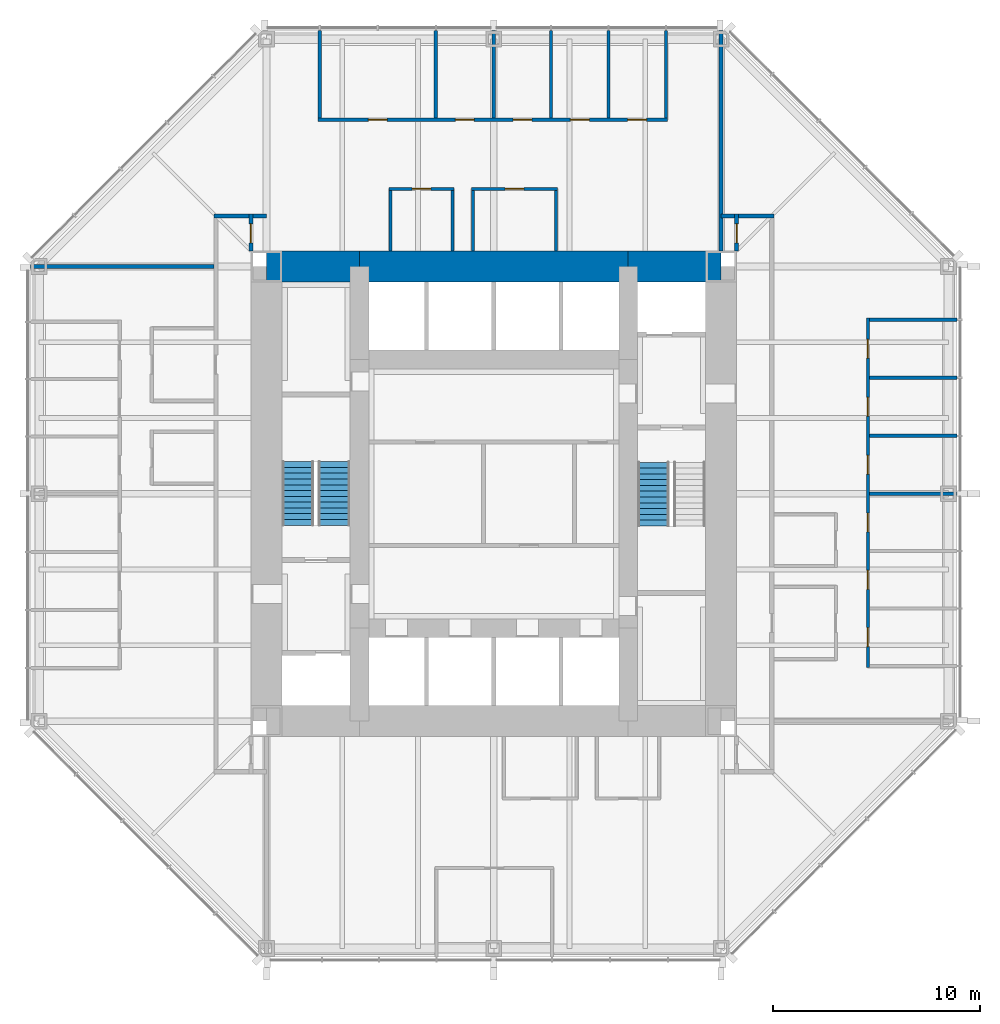
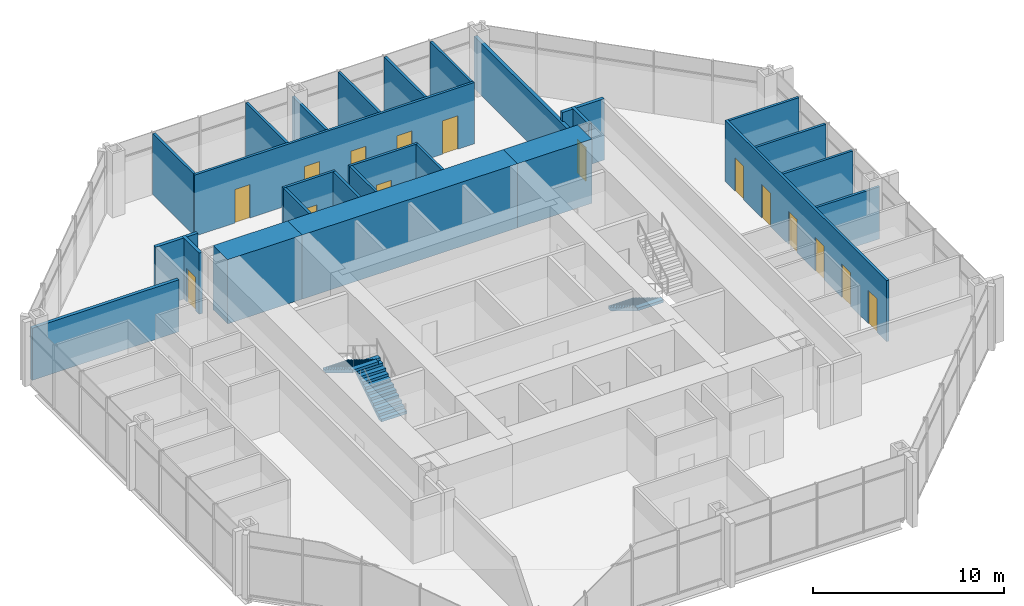
# One storey, part 11 of 14: 27 walls, 15 doors, 3 stair flights, 15 openings, 2 elements without a shape of their own.
"""IFC4 building model written with IfcOpenShell, lengths in metres."""

from ifc_helpers import new_model, si_unit, direction, frame, frame_2d, origin, place, context, subcontext, project, spatial, polyline, rectangle, outline, extrude, material, layer, layer_set, type_object, element, fill, aggregate, save


model = new_model("IFC4")

# Units and contexts
model_context = context("Model", 3, precision=1e-05, world=origin(), true_north=direction((0.0, 1.0)))
body_context = subcontext(model_context, "Body", "Model", "MODEL_VIEW")
ifc_project = project(units=[si_unit("LENGTHUNIT", "METRE"), si_unit("AREAUNIT", "SQUARE_METRE"), si_unit("VOLUMEUNIT", "CUBIC_METRE"), si_unit("PLANEANGLEUNIT", "RADIAN"), si_unit("MASSUNIT", "GRAM", prefix="KILO")], contexts=[model_context])

# Site, building, storey
site_placement = place(None, origin())
site = spatial("IfcSite", under=ifc_project, at=site_placement, CompositionType="ELEMENT")
building_placement = place(site_placement, origin())
building = spatial("IfcBuilding", under=site, at=building_placement, Name="Trevanion Tower", CompositionType="ELEMENT")
storey_placement = place(building_placement, frame((0.0, 0.0, 100.800048828125)))
storey = spatial("IfcBuildingStorey", under=building, at=storey_placement, Name="L23", CompositionType="ELEMENT", Elevation=100.800048828125)

# Walls
ifc_material_1 = material(Name="Concrete 10,000 psi", Category="concrete")
ifc_layer_1 = layer(ifc_material_1, 1.5)
ifc_layer_set_1 = layer_set([ifc_layer_1], Name="CW1 core wall 1500")
wall_type_1 = type_object("IfcWallType", Name="CW1 core wall 1500", PredefinedType="SHEAR", material=ifc_layer_set_1)
wall_1_placement = place(storey_placement, frame((11.0, 11.0, 0.0), z_axis=(0.0, 0.0, 1.0), x_axis=(-1.0, 0.0, 0.0)))
element("IfcWall", 1, at=wall_1_placement, inside=storey, type_object=wall_type_1, Name="CW1 CN1 L23", PredefinedType="SHEAR", context=body_context, shape_type="SweptSolid", body=[
    extrude(rectangle(XDim=4.5, YDim=1.5, at=frame_2d((2.25, 0.0))), origin(), (0.0, 0.0, 1.0), 4.099853515625),
])
wall_2_placement = place(storey_placement, frame((6.5, 11.0, 0.0), z_axis=(0.0, 0.0, 1.0), x_axis=(-1.0, 0.0, 0.0)))
element("IfcWall", 2, at=wall_2_placement, inside=storey, type_object=wall_type_1, Name="CW1 CN2 L23", PredefinedType="SHEAR", context=body_context, shape_type="SweptSolid", body=[
    extrude(rectangle(XDim=13.0, YDim=1.5, at=frame_2d((6.5, 0.0))), origin(), (0.0, 0.0, 1.0), 4.099853515625),
])
wall_3_placement = place(storey_placement, frame((-6.5, 11.0, 0.0), z_axis=(0.0, 0.0, 1.0), x_axis=(-1.0, 0.0, 0.0)))
element("IfcWall", 3, at=wall_3_placement, inside=storey, type_object=wall_type_1, Name="CW1 CN3 L23", PredefinedType="SHEAR", context=body_context, shape_type="SweptSolid", body=[
    extrude(rectangle(XDim=4.5, YDim=1.5, at=frame_2d((2.25, 0.0))), origin(), (0.0, 0.0, 1.0), 4.099853515625),
])

# Wall, openings, doors
ifc_material_2 = material(Name="Gypsum board on steel studs", Category="steel")
ifc_layer_2 = layer(ifc_material_2, 0.14990234375)
ifc_layer_set_2 = layer_set([ifc_layer_2], Name="PT1 partition 150")
wall_type_2 = type_object("IfcWallType", Name="PT1 partition 150", PredefinedType="PARTITIONING", material=ifc_layer_set_2)
wall_4_placement = place(storey_placement, frame((18.10009765625, -8.39794921875, 0.0), z_axis=(0.0, 0.0, 1.0), x_axis=(0.0, 1.0, 0.0)))
wall_4 = element("IfcWall", 4, at=wall_4_placement, inside=storey, type_object=wall_type_2, Name="PT1 L23 FC0F", PredefinedType="PARTITIONING", context=body_context, shape_type="SweptSolid", body=[
    extrude(rectangle(XDim=16.89404296875, YDim=0.14990234375, at=frame_2d((8.447021484375, 0.0))), origin(), (0.0, 0.0, 1.0), 3.909912109375),
])
opening_1_placement = place(wall_4_placement, frame((1.00439453125, 0.0, 0.0)))
opening_1 = element("IfcOpeningElement", 5, at=opening_1_placement, cuts=wall_4, Name="Opening 23-022", PredefinedType="OPENING", context=body_context, shape_type="SweptSolid", body=[
    extrude(rectangle(XDim=0.9150390625, YDim=2.134033203125, at=frame_2d((0.45751953125, 1.06689453125))), frame((0.0, 0.0849609375, 0.0), z_axis=(0.0, -1.0, 0.0), x_axis=(1.0, 0.0, 0.0)), (0.0, 0.0, 1.0), 0.169921875),
])
opening_2_placement = place(wall_4_placement, frame((3.778564453125, 0.0, 0.0)))
opening_2 = element("IfcOpeningElement", 6, at=opening_2_placement, cuts=wall_4, Name="Opening 23-023", PredefinedType="OPENING", context=body_context, shape_type="SweptSolid", body=[
    extrude(rectangle(XDim=0.9150390625, YDim=2.134033203125, at=frame_2d((0.45751953125, 1.06689453125))), frame((0.0, 0.0849609375, 0.0), z_axis=(0.0, -1.0, 0.0), x_axis=(1.0, 0.0, 0.0)), (0.0, 0.0, 1.0), 0.169921875),
])
opening_3_placement = place(wall_4_placement, frame((6.552978515625, 0.0, 0.0)))
opening_3 = element("IfcOpeningElement", 7, at=opening_3_placement, cuts=wall_4, Name="Opening 23-024", PredefinedType="OPENING", context=body_context, shape_type="SweptSolid", body=[
    extrude(rectangle(XDim=0.9150390625, YDim=2.134033203125, at=frame_2d((0.45751953125, 1.06689453125))), frame((0.0, 0.0849609375, 0.0), z_axis=(0.0, -1.0, 0.0), x_axis=(1.0, 0.0, 0.0)), (0.0, 0.0, 1.0), 0.169921875),
])
opening_4_placement = place(wall_4_placement, frame((9.343994140625, 0.0, 0.0)))
opening_4 = element("IfcOpeningElement", 8, at=opening_4_placement, cuts=wall_4, Name="Opening 23-025", PredefinedType="OPENING", context=body_context, shape_type="SweptSolid", body=[
    extrude(rectangle(XDim=0.9150390625, YDim=2.134033203125, at=frame_2d((0.45751953125, 1.06689453125))), frame((0.0, 0.0849609375, 0.0), z_axis=(0.0, -1.0, 0.0), x_axis=(1.0, 0.0, 0.0)), (0.0, 0.0, 1.0), 0.169921875),
])
opening_5_placement = place(wall_4_placement, frame((12.15087890625, 0.0, 0.0)))
opening_5 = element("IfcOpeningElement", 9, at=opening_5_placement, cuts=wall_4, Name="Opening 23-026", PredefinedType="OPENING", context=body_context, shape_type="SweptSolid", body=[
    extrude(rectangle(XDim=0.9150390625, YDim=2.134033203125, at=frame_2d((0.45751953125, 1.06689453125))), frame((0.0, 0.0849609375, 0.0), z_axis=(0.0, -1.0, 0.0), x_axis=(1.0, 0.0, 0.0)), (0.0, 0.0, 1.0), 0.169921875),
])
opening_6_placement = place(wall_4_placement, frame((14.9580078125, 0.0, 0.0)))
opening_6 = element("IfcOpeningElement", 10, at=opening_6_placement, cuts=wall_4, Name="Opening 23-027", PredefinedType="OPENING", context=body_context, shape_type="SweptSolid", body=[
    extrude(rectangle(XDim=0.9150390625, YDim=2.134033203125, at=frame_2d((0.45751953125, 1.06689453125))), frame((0.0, 0.0849609375, 0.0), z_axis=(0.0, -1.0, 0.0), x_axis=(1.0, 0.0, 0.0)), (0.0, 0.0, 1.0), 0.169921875),
])
ifc_material_3 = material(Name="Timber veneer, solid core", Category="wood")
door_type_1 = type_object("IfcDoorType", Name="D1 office and meeting room door", OperationType="SINGLE_SWING_LEFT", PredefinedType="DOOR", material=ifc_material_3)
door_1_placement = place(opening_1_placement, origin())
door_1 = element("IfcDoor", 11, at=door_1_placement, inside=storey, type_object=door_type_1, Name="Door 23-022", OperationType="SINGLE_SWING_LEFT", OverallHeight=2.134033203125, OverallWidth=0.9150390625, PredefinedType="DOOR", context=body_context, shape_type="SweptSolid", body=[
    extrude(rectangle(XDim=0.9150390625, YDim=2.134033203125, at=frame_2d((0.45751953125, 1.06689453125))), frame((0.0, 0.02490234375, 0.0), z_axis=(0.0, -1.0, 0.0), x_axis=(1.0, 0.0, 0.0)), (0.0, 0.0, 1.0), 0.050048828125),
])
fill(opening_1, door_1)
door_2_placement = place(opening_2_placement, origin())
door_2 = element("IfcDoor", 12, at=door_2_placement, inside=storey, type_object=door_type_1, Name="Door 23-023", OperationType="SINGLE_SWING_LEFT", OverallHeight=2.134033203125, OverallWidth=0.9150390625, PredefinedType="DOOR", context=body_context, shape_type="SweptSolid", body=[
    extrude(rectangle(XDim=0.9150390625, YDim=2.134033203125, at=frame_2d((0.45751953125, 1.06689453125))), frame((0.0, 0.02490234375, 0.0), z_axis=(0.0, -1.0, 0.0), x_axis=(1.0, 0.0, 0.0)), (0.0, 0.0, 1.0), 0.050048828125),
])
fill(opening_2, door_2)
door_3_placement = place(opening_3_placement, origin())
door_3 = element("IfcDoor", 13, at=door_3_placement, inside=storey, type_object=door_type_1, Name="Door 23-024", OperationType="SINGLE_SWING_LEFT", OverallHeight=2.134033203125, OverallWidth=0.9150390625, PredefinedType="DOOR", context=body_context, shape_type="SweptSolid", body=[
    extrude(rectangle(XDim=0.9150390625, YDim=2.134033203125, at=frame_2d((0.45751953125, 1.06689453125))), frame((0.0, 0.02490234375, 0.0), z_axis=(0.0, -1.0, 0.0), x_axis=(1.0, 0.0, 0.0)), (0.0, 0.0, 1.0), 0.050048828125),
])
fill(opening_3, door_3)
door_4_placement = place(opening_4_placement, origin())
door_4 = element("IfcDoor", 14, at=door_4_placement, inside=storey, type_object=door_type_1, Name="Door 23-025", OperationType="SINGLE_SWING_LEFT", OverallHeight=2.134033203125, OverallWidth=0.9150390625, PredefinedType="DOOR", context=body_context, shape_type="SweptSolid", body=[
    extrude(rectangle(XDim=0.9150390625, YDim=2.134033203125, at=frame_2d((0.45751953125, 1.06689453125))), frame((0.0, 0.02490234375, 0.0), z_axis=(0.0, -1.0, 0.0), x_axis=(1.0, 0.0, 0.0)), (0.0, 0.0, 1.0), 0.050048828125),
])
fill(opening_4, door_4)
door_5_placement = place(opening_5_placement, origin())
door_5 = element("IfcDoor", 15, at=door_5_placement, inside=storey, type_object=door_type_1, Name="Door 23-026", OperationType="SINGLE_SWING_LEFT", OverallHeight=2.134033203125, OverallWidth=0.9150390625, PredefinedType="DOOR", context=body_context, shape_type="SweptSolid", body=[
    extrude(rectangle(XDim=0.9150390625, YDim=2.134033203125, at=frame_2d((0.45751953125, 1.06689453125))), frame((0.0, 0.02490234375, 0.0), z_axis=(0.0, -1.0, 0.0), x_axis=(1.0, 0.0, 0.0)), (0.0, 0.0, 1.0), 0.050048828125),
])
fill(opening_5, door_5)
door_6_placement = place(opening_6_placement, origin())
door_6 = element("IfcDoor", 16, at=door_6_placement, inside=storey, type_object=door_type_1, Name="Door 23-027", OperationType="SINGLE_SWING_LEFT", OverallHeight=2.134033203125, OverallWidth=0.9150390625, PredefinedType="DOOR", context=body_context, shape_type="SweptSolid", body=[
    extrude(rectangle(XDim=0.9150390625, YDim=2.134033203125, at=frame_2d((0.45751953125, 1.06689453125))), frame((0.0, 0.02490234375, 0.0), z_axis=(0.0, -1.0, 0.0), x_axis=(1.0, 0.0, 0.0)), (0.0, 0.0, 1.0), 0.050048828125),
])
fill(opening_6, door_6)

# Walls
wall_5_placement = place(storey_placement, frame((18.175048828125, 0.0, 0.0), z_axis=(0.0, 0.0, 1.0), x_axis=(1.0, 0.0, 0.0)))
element("IfcWall", 17, at=wall_5_placement, inside=storey, type_object=wall_type_2, Name="PT1 L23 FC0S3", PredefinedType="PARTITIONING", context=body_context, shape_type="SweptSolid", body=[
    extrude(rectangle(XDim=4.239990234375, YDim=0.14990234375, at=frame_2d((2.1201171875, 0.0))), origin(), (0.0, 0.0, 1.0), 3.32568359375),
])
for number, where, z_axis, x_axis, name in (
    (18, (18.175048828125, 2.806884765625, 0.0), (0.0, 0.0, 1.0), (1.0, 0.0, 0.0), "PT1 L23 FC0S4"),
    (19, (18.175048828125, 5.614013671875, 0.0), (0.0, 0.0, 1.0), (1.0, 0.0, 0.0), "PT1 L23 FC0S5"),
    (20, (18.175048828125, 8.4208984375, 0.0), (0.0, 0.0, 1.0), (1.0, 0.0, 0.0), "PT1 L23 FC0S6"),
):
    element("IfcWall", number, at=place(storey_placement, frame(where, z_axis=z_axis, x_axis=x_axis)), inside=storey, type_object=wall_type_2, Name=name, PredefinedType="PARTITIONING", context=body_context, shape_type="SweptSolid", body=[
        extrude(rectangle(XDim=4.239990234375, YDim=0.14990234375, at=frame_2d((2.1201171875, 0.0))), origin(), (0.0, 0.0, 1.0), 3.909912109375),
    ])

# Wall, openings, doors
wall_6_placement = place(storey_placement, frame((8.39794921875, 18.10009765625, 0.0), z_axis=(0.0, 0.0, 1.0), x_axis=(-1.0, 0.0, 0.0)))
wall_6 = element("IfcWall", 21, at=wall_6_placement, inside=storey, type_object=wall_type_2, Name="PT1 L23 FC1F", PredefinedType="PARTITIONING", context=body_context, shape_type="SweptSolid", body=[
    extrude(rectangle(XDim=16.89404296875, YDim=0.14990234375, at=frame_2d((8.447021484375, 0.0))), origin(), (0.0, 0.0, 1.0), 3.909912109375),
])
opening_7_placement = place(wall_6_placement, frame((1.00439453125, 0.0, 0.0)))
opening_7 = element("IfcOpeningElement", 22, at=opening_7_placement, cuts=wall_6, Name="Opening 23-028", PredefinedType="OPENING", context=body_context, shape_type="SweptSolid", body=[
    extrude(rectangle(XDim=0.9150390625, YDim=2.134033203125, at=frame_2d((0.45751953125, 1.06689453125))), frame((0.0, 0.0849609375, 0.0), z_axis=(0.0, -1.0, 0.0), x_axis=(1.0, 0.0, 0.0)), (0.0, 0.0, 1.0), 0.169921875),
])
opening_8_placement = place(wall_6_placement, frame((3.778564453125, 0.0, 0.0)))
opening_8 = element("IfcOpeningElement", 23, at=opening_8_placement, cuts=wall_6, Name="Opening 23-029", PredefinedType="OPENING", context=body_context, shape_type="SweptSolid", body=[
    extrude(rectangle(XDim=0.9150390625, YDim=2.134033203125, at=frame_2d((0.45751953125, 1.06689453125))), frame((0.0, 0.0849609375, 0.0), z_axis=(0.0, -1.0, 0.0), x_axis=(1.0, 0.0, 0.0)), (0.0, 0.0, 1.0), 0.169921875),
])
opening_9_placement = place(wall_6_placement, frame((6.552978515625, 0.0, 0.0)))
opening_9 = element("IfcOpeningElement", 24, at=opening_9_placement, cuts=wall_6, Name="Opening 23-030", PredefinedType="OPENING", context=body_context, shape_type="SweptSolid", body=[
    extrude(rectangle(XDim=0.9150390625, YDim=2.134033203125, at=frame_2d((0.45751953125, 1.06689453125))), frame((0.0, 0.0849609375, 0.0), z_axis=(0.0, -1.0, 0.0), x_axis=(1.0, 0.0, 0.0)), (0.0, 0.0, 1.0), 0.169921875),
])
opening_10_placement = place(wall_6_placement, frame((9.343994140625, 0.0, 0.0)))
opening_10 = element("IfcOpeningElement", 25, at=opening_10_placement, cuts=wall_6, Name="Opening 23-031", PredefinedType="OPENING", context=body_context, shape_type="SweptSolid", body=[
    extrude(rectangle(XDim=0.9150390625, YDim=2.134033203125, at=frame_2d((0.45751953125, 1.06689453125))), frame((0.0, 0.0849609375, 0.0), z_axis=(0.0, -1.0, 0.0), x_axis=(1.0, 0.0, 0.0)), (0.0, 0.0, 1.0), 0.169921875),
])
opening_11_placement = place(wall_6_placement, frame((13.554443359375, 0.0, 0.0)))
opening_11 = element("IfcOpeningElement", 26, at=opening_11_placement, cuts=wall_6, Name="Opening 23-032", PredefinedType="OPENING", context=body_context, shape_type="SweptSolid", body=[
    extrude(rectangle(XDim=0.9150390625, YDim=2.134033203125, at=frame_2d((0.45751953125, 1.06689453125))), frame((0.0, 0.0849609375, 0.0), z_axis=(0.0, -1.0, 0.0), x_axis=(1.0, 0.0, 0.0)), (0.0, 0.0, 1.0), 0.169921875),
])
door_7_placement = place(opening_7_placement, origin())
door_7 = element("IfcDoor", 27, at=door_7_placement, inside=storey, type_object=door_type_1, Name="Door 23-028", OperationType="SINGLE_SWING_LEFT", OverallHeight=2.134033203125, OverallWidth=0.9150390625, PredefinedType="DOOR", context=body_context, shape_type="SweptSolid", body=[
    extrude(rectangle(XDim=0.9150390625, YDim=2.134033203125, at=frame_2d((0.45751953125, 1.06689453125))), frame((0.0, 0.02490234375, 0.0), z_axis=(0.0, -1.0, 0.0), x_axis=(1.0, 0.0, 0.0)), (0.0, 0.0, 1.0), 0.050048828125),
])
fill(opening_7, door_7)
door_8_placement = place(opening_8_placement, origin())
door_8 = element("IfcDoor", 28, at=door_8_placement, inside=storey, type_object=door_type_1, Name="Door 23-029", OperationType="SINGLE_SWING_LEFT", OverallHeight=2.134033203125, OverallWidth=0.9150390625, PredefinedType="DOOR", context=body_context, shape_type="SweptSolid", body=[
    extrude(rectangle(XDim=0.9150390625, YDim=2.134033203125, at=frame_2d((0.45751953125, 1.06689453125))), frame((0.0, 0.02490234375, 0.0), z_axis=(0.0, -1.0, 0.0), x_axis=(1.0, 0.0, 0.0)), (0.0, 0.0, 1.0), 0.050048828125),
])
fill(opening_8, door_8)
door_9_placement = place(opening_9_placement, origin())
door_9 = element("IfcDoor", 29, at=door_9_placement, inside=storey, type_object=door_type_1, Name="Door 23-030", OperationType="SINGLE_SWING_LEFT", OverallHeight=2.134033203125, OverallWidth=0.9150390625, PredefinedType="DOOR", context=body_context, shape_type="SweptSolid", body=[
    extrude(rectangle(XDim=0.9150390625, YDim=2.134033203125, at=frame_2d((0.45751953125, 1.06689453125))), frame((0.0, 0.02490234375, 0.0), z_axis=(0.0, -1.0, 0.0), x_axis=(1.0, 0.0, 0.0)), (0.0, 0.0, 1.0), 0.050048828125),
])
fill(opening_9, door_9)
door_10_placement = place(opening_10_placement, origin())
door_10 = element("IfcDoor", 30, at=door_10_placement, inside=storey, type_object=door_type_1, Name="Door 23-031", OperationType="SINGLE_SWING_LEFT", OverallHeight=2.134033203125, OverallWidth=0.9150390625, PredefinedType="DOOR", context=body_context, shape_type="SweptSolid", body=[
    extrude(rectangle(XDim=0.9150390625, YDim=2.134033203125, at=frame_2d((0.45751953125, 1.06689453125))), frame((0.0, 0.02490234375, 0.0), z_axis=(0.0, -1.0, 0.0), x_axis=(1.0, 0.0, 0.0)), (0.0, 0.0, 1.0), 0.050048828125),
])
fill(opening_10, door_10)
door_11_placement = place(opening_11_placement, origin())
door_11 = element("IfcDoor", 31, at=door_11_placement, inside=storey, type_object=door_type_1, Name="Door 23-032", OperationType="SINGLE_SWING_LEFT", OverallHeight=2.134033203125, OverallWidth=0.9150390625, PredefinedType="DOOR", context=body_context, shape_type="SweptSolid", body=[
    extrude(rectangle(XDim=0.9150390625, YDim=2.134033203125, at=frame_2d((0.45751953125, 1.06689453125))), frame((0.0, 0.02490234375, 0.0), z_axis=(0.0, -1.0, 0.0), x_axis=(1.0, 0.0, 0.0)), (0.0, 0.0, 1.0), 0.050048828125),
])
fill(opening_11, door_11)

# Walls
for number, where, z_axis, x_axis, name in (
    (32, (8.322998046875, 18.175048828125, 0.0), (0.0, 0.0, 1.0), (0.0, 1.0, 0.0), "PT1 L23 FC1S0"),
    (33, (5.549072265625, 18.175048828125, 0.0), (0.0, 0.0, 1.0), (0.0, 1.0, 0.0), "PT1 L23 FC1S1"),
    (34, (2.77490234375, 18.175048828125, 0.0), (0.0, 0.0, 1.0), (0.0, 1.0, 0.0), "PT1 L23 FC1S2"),
):
    element("IfcWall", number, at=place(storey_placement, frame(where, z_axis=z_axis, x_axis=x_axis)), inside=storey, type_object=wall_type_2, Name=name, PredefinedType="PARTITIONING", context=body_context, shape_type="SweptSolid", body=[
        extrude(rectangle(XDim=4.239990234375, YDim=0.14990234375, at=frame_2d((2.1201171875, 0.0))), origin(), (0.0, 0.0, 1.0), 3.909912109375),
    ])
wall_7_placement = place(storey_placement, frame((0.0, 18.175048828125, 0.0), z_axis=(0.0, 0.0, 1.0), x_axis=(0.0, 1.0, 0.0)))
element("IfcWall", 35, at=wall_7_placement, inside=storey, type_object=wall_type_2, Name="PT1 L23 FC1S3", PredefinedType="PARTITIONING", context=body_context, shape_type="SweptSolid", body=[
    extrude(rectangle(XDim=4.239990234375, YDim=0.14990234375, at=frame_2d((2.1201171875, 0.0))), origin(), (0.0, 0.0, 1.0), 3.32568359375),
])
for number, where, z_axis, x_axis, name in (
    (36, (-2.806884765625, 18.175048828125, 0.0), (0.0, 0.0, 1.0), (0.0, 1.0, 0.0), "PT1 L23 FC1S4"),
    (37, (-8.4208984375, 18.175048828125, 0.0), (0.0, 0.0, 1.0), (0.0, 1.0, 0.0), "PT1 L23 FC1S6"),
):
    element("IfcWall", number, at=place(storey_placement, frame(where, z_axis=z_axis, x_axis=x_axis)), inside=storey, type_object=wall_type_2, Name=name, PredefinedType="PARTITIONING", context=body_context, shape_type="SweptSolid", body=[
        extrude(rectangle(XDim=4.239990234375, YDim=0.14990234375, at=frame_2d((2.1201171875, 0.0))), origin(), (0.0, 0.0, 1.0), 3.909912109375),
    ])

# Wall, opening, door
wall_8_placement = place(storey_placement, frame((3.074951171875, 14.75, 0.0), z_axis=(0.0, 0.0, 1.0), x_axis=(-1.0, 0.0, 0.0)))
wall_8 = element("IfcWall", 38, at=wall_8_placement, inside=storey, type_object=wall_type_2, Name="PT1 L23 IN10F", PredefinedType="PARTITIONING", context=body_context, shape_type="SweptSolid", body=[
    extrude(rectangle(XDim=4.14990234375, YDim=0.14990234375, at=frame_2d((2.074951171875, 0.0))), origin(), (0.0, 0.0, 1.0), 3.909912109375),
])
opening_12_placement = place(wall_8_placement, frame((1.617431640625, 0.0, 0.0)))
opening_12 = element("IfcOpeningElement", 39, at=opening_12_placement, cuts=wall_8, Name="Opening 23-043", PredefinedType="OPENING", context=body_context, shape_type="SweptSolid", body=[
    extrude(rectangle(XDim=0.9150390625, YDim=2.134033203125, at=frame_2d((0.45751953125, 1.06689453125))), frame((0.0, 0.0849609375, 0.0), z_axis=(0.0, -1.0, 0.0), x_axis=(1.0, 0.0, 0.0)), (0.0, 0.0, 1.0), 0.169921875),
])
door_12_placement = place(opening_12_placement, origin())
door_12 = element("IfcDoor", 40, at=door_12_placement, inside=storey, type_object=door_type_1, Name="Door 23-043", OperationType="SINGLE_SWING_LEFT", OverallHeight=2.134033203125, OverallWidth=0.9150390625, PredefinedType="DOOR", context=body_context, shape_type="SweptSolid", body=[
    extrude(rectangle(XDim=0.9150390625, YDim=2.134033203125, at=frame_2d((0.45751953125, 1.06689453125))), frame((0.0, 0.02490234375, 0.0), z_axis=(0.0, -1.0, 0.0), x_axis=(1.0, 0.0, 0.0)), (0.0, 0.0, 1.0), 0.050048828125),
])
fill(opening_12, door_12)

# Walls
for number, where, z_axis, x_axis, name in (
    (41, (3.0, 14.675048828125, 0.0), (0.0, 0.0, 1.0), (0.0, -1.0, 0.0), "PT1 L23 IN10S0"),
    (42, (-1.0, 14.675048828125, 0.0), (0.0, 0.0, 1.0), (0.0, -1.0, 0.0), "PT1 L23 IN10S1"),
):
    element("IfcWall", number, at=place(storey_placement, frame(where, z_axis=z_axis, x_axis=x_axis)), inside=storey, type_object=wall_type_2, Name=name, PredefinedType="PARTITIONING", context=body_context, shape_type="SweptSolid", body=[
        extrude(rectangle(XDim=2.925048828125, YDim=0.14990234375, at=frame_2d((1.46240234375, 0.0))), origin(), (0.0, 0.0, 1.0), 3.909912109375),
    ])

# Wall, opening, door
wall_9_placement = place(storey_placement, frame((-1.925048828125, 14.75, 0.0), z_axis=(0.0, 0.0, 1.0), x_axis=(-1.0, 0.0, 0.0)))
wall_9 = element("IfcWall", 43, at=wall_9_placement, inside=storey, type_object=wall_type_2, Name="PT1 L23 IN11F", PredefinedType="PARTITIONING", context=body_context, shape_type="SweptSolid", body=[
    extrude(rectangle(XDim=3.14990234375, YDim=0.14990234375, at=frame_2d((1.574951171875, 0.0))), origin(), (0.0, 0.0, 1.0), 3.909912109375),
])
opening_13_placement = place(wall_9_placement, frame((1.117431640625, 0.0, 0.0)))
opening_13 = element("IfcOpeningElement", 44, at=opening_13_placement, cuts=wall_9, Name="Opening 23-044", PredefinedType="OPENING", context=body_context, shape_type="SweptSolid", body=[
    extrude(rectangle(XDim=0.9150390625, YDim=2.134033203125, at=frame_2d((0.45751953125, 1.06689453125))), frame((0.0, 0.0849609375, 0.0), z_axis=(0.0, -1.0, 0.0), x_axis=(1.0, 0.0, 0.0)), (0.0, 0.0, 1.0), 0.169921875),
])
door_13_placement = place(opening_13_placement, origin())
door_13 = element("IfcDoor", 45, at=door_13_placement, inside=storey, type_object=door_type_1, Name="Door 23-044", OperationType="SINGLE_SWING_LEFT", OverallHeight=2.134033203125, OverallWidth=0.9150390625, PredefinedType="DOOR", context=body_context, shape_type="SweptSolid", body=[
    extrude(rectangle(XDim=0.9150390625, YDim=2.134033203125, at=frame_2d((0.45751953125, 1.06689453125))), frame((0.0, 0.02490234375, 0.0), z_axis=(0.0, -1.0, 0.0), x_axis=(1.0, 0.0, 0.0)), (0.0, 0.0, 1.0), 0.050048828125),
])
fill(opening_13, door_13)

# Walls
for number, where, z_axis, x_axis, name in (
    (46, (-2.0, 14.675048828125, 0.0), (0.0, 0.0, 1.0), (0.0, -1.0, 0.0), "PT1 L23 IN11S0"),
    (47, (-5.0, 14.675048828125, 0.0), (0.0, 0.0, 1.0), (0.0, -1.0, 0.0), "PT1 L23 IN11S1"),
):
    element("IfcWall", number, at=place(storey_placement, frame(where, z_axis=z_axis, x_axis=x_axis)), inside=storey, type_object=wall_type_2, Name=name, PredefinedType="PARTITIONING", context=body_context, shape_type="SweptSolid", body=[
        extrude(rectangle(XDim=2.925048828125, YDim=0.14990234375, at=frame_2d((1.46240234375, 0.0))), origin(), (0.0, 0.0, 1.0), 3.909912109375),
    ])

# Wall, opening, door
ifc_material_4 = material(Name="Concrete masonry, grouted", Category="masonry")
ifc_layer_3 = layer(ifc_material_4, 0.199951171875)
ifc_layer_set_3 = layer_set([ifc_layer_3], Name="PT2 partition 200 1 HR")
wall_type_3 = type_object("IfcWallType", Name="PT2 partition 200 1 HR", PredefinedType="PARTITIONING", material=ifc_layer_set_3)
wall_10_placement = place(storey_placement, frame((11.75, 11.75, 0.0), z_axis=(0.0, 0.0, 1.0), x_axis=(0.0, 1.0, 0.0)))
wall_10 = element("IfcWall", 48, at=wall_10_placement, inside=storey, type_object=wall_type_3, Name="PT2 L23 OUNE1", PredefinedType="PARTITIONING", context=body_context, shape_type="SweptSolid", body=[
    extrude(rectangle(XDim=1.800048828125, YDim=0.199951171875, at=frame_2d((0.89990234375, 0.0))), origin(), (0.0, 0.0, 1.0), 3.909912109375),
])
opening_14_placement = place(wall_10_placement, frame((0.392578125, 0.0, 0.0)))
opening_14 = element("IfcOpeningElement", 49, at=opening_14_placement, cuts=wall_10, Name="Opening 23-018", PredefinedType="OPENING", context=body_context, shape_type="SweptSolid", body=[
    extrude(rectangle(XDim=0.9150390625, YDim=2.134033203125, at=frame_2d((0.45751953125, 1.06689453125))), frame((0.0, 0.10986328125, 0.0), z_axis=(0.0, -1.0, 0.0), x_axis=(1.0, 0.0, 0.0)), (0.0, 0.0, 1.0), 0.219970703125),
])
ifc_material_5 = material(Name="Timber veneer, fire rated", Category="wood")
door_type_2 = type_object("IfcDoorType", Name="D10 office door in a one hour wall", OperationType="SINGLE_SWING_LEFT", PredefinedType="DOOR", material=ifc_material_5)
door_14_placement = place(opening_14_placement, frame((0.9150390625, 0.0, 0.0), z_axis=(0.0, 0.0, 1.0), x_axis=(-1.0, 0.0, 0.0)))
door_14 = element("IfcDoor", 50, at=door_14_placement, inside=storey, type_object=door_type_2, Name="Door 23-018", OperationType="SINGLE_SWING_LEFT", OverallHeight=2.134033203125, OverallWidth=0.9150390625, PredefinedType="DOOR", context=body_context, shape_type="SweptSolid", body=[
    extrude(rectangle(XDim=0.9150390625, YDim=2.134033203125, at=frame_2d((0.45751953125, 1.06689453125))), frame((0.0, 0.02490234375, 0.0), z_axis=(0.0, -1.0, 0.0), x_axis=(1.0, 0.0, 0.0)), (0.0, 0.0, 1.0), 0.050048828125),
])
fill(opening_14, door_14)

# Wall
wall_11_placement = place(storey_placement, frame((11.0, 13.449951171875, 0.0), z_axis=(0.0, 0.0, 1.0), x_axis=(1.0, 0.0, 0.0)))
element("IfcWall", 51, at=wall_11_placement, inside=storey, type_object=wall_type_3, Name="PT2 L23 OUNE2", PredefinedType="PARTITIONING", context=body_context, shape_type="SweptSolid", body=[
    extrude(rectangle(XDim=2.550048828125, YDim=0.199951171875, at=frame_2d((1.27490234375, 0.0))), origin(), (0.0, 0.0, 1.0), 3.909912109375),
])

# Wall, opening, door
wall_12_placement = place(storey_placement, frame((-11.75, 11.75, 0.0), z_axis=(0.0, 0.0, 1.0), x_axis=(0.0, 1.0, 0.0)))
wall_12 = element("IfcWall", 52, at=wall_12_placement, inside=storey, type_object=wall_type_3, Name="PT2 L23 OUNW1", PredefinedType="PARTITIONING", context=body_context, shape_type="SweptSolid", body=[
    extrude(rectangle(XDim=1.800048828125, YDim=0.199951171875, at=frame_2d((0.89990234375, 0.0))), origin(), (0.0, 0.0, 1.0), 3.909912109375),
])
opening_15_placement = place(wall_12_placement, frame((0.392578125, 0.0, 0.0)))
opening_15 = element("IfcOpeningElement", 53, at=opening_15_placement, cuts=wall_12, Name="Opening 23-019", PredefinedType="OPENING", context=body_context, shape_type="SweptSolid", body=[
    extrude(rectangle(XDim=0.9150390625, YDim=2.134033203125, at=frame_2d((0.45751953125, 1.06689453125))), frame((0.0, 0.10986328125, 0.0), z_axis=(0.0, -1.0, 0.0), x_axis=(1.0, 0.0, 0.0)), (0.0, 0.0, 1.0), 0.219970703125),
])
door_15_placement = place(opening_15_placement, origin())
door_15 = element("IfcDoor", 54, at=door_15_placement, inside=storey, type_object=door_type_2, Name="Door 23-019", OperationType="SINGLE_SWING_LEFT", OverallHeight=2.134033203125, OverallWidth=0.9150390625, PredefinedType="DOOR", context=body_context, shape_type="SweptSolid", body=[
    extrude(rectangle(XDim=0.9150390625, YDim=2.134033203125, at=frame_2d((0.45751953125, 1.06689453125))), frame((0.0, 0.02490234375, 0.0), z_axis=(0.0, -1.0, 0.0), x_axis=(1.0, 0.0, 0.0)), (0.0, 0.0, 1.0), 0.050048828125),
])
fill(opening_15, door_15)

# Walls
wall_13_placement = place(storey_placement, frame((-11.0, 13.449951171875, 0.0), z_axis=(0.0, 0.0, 1.0), x_axis=(-1.0, 0.0, 0.0)))
element("IfcWall", 55, at=wall_13_placement, inside=storey, type_object=wall_type_3, Name="PT2 L23 OUNW2", PredefinedType="PARTITIONING", context=body_context, shape_type="SweptSolid", body=[
    extrude(rectangle(XDim=2.550048828125, YDim=0.199951171875, at=frame_2d((1.27490234375, 0.0))), origin(), (0.0, 0.0, 1.0), 3.909912109375),
])
wall_14_placement = place(storey_placement, frame((11.0, 11.75, 0.0), z_axis=(0.0, 0.0, 1.0), x_axis=(0.0, 1.0, 0.0)))
element("IfcWall", 56, at=wall_14_placement, inside=storey, type_object=wall_type_3, Name="PT2 L23 DM0", PredefinedType="PARTITIONING", context=body_context, shape_type="SweptSolid", body=[
    extrude(rectangle(XDim=10.6650390625, YDim=0.199951171875, at=frame_2d((5.33251953125, 0.0))), origin(), (0.0, 0.0, 1.0), 3.32568359375),
])
wall_15_placement = place(storey_placement, frame((-13.550048828125, 11.0, 0.0), z_axis=(0.0, 0.0, 1.0), x_axis=(-1.0, 0.0, 0.0)))
element("IfcWall", 57, at=wall_15_placement, inside=storey, type_object=wall_type_3, Name="PT2 L23 DM1", PredefinedType="PARTITIONING", context=body_context, shape_type="SweptSolid", body=[
    extrude(rectangle(XDim=8.864990234375, YDim=0.199951171875, at=frame_2d((4.4326171875, 0.0))), origin(), (0.0, 0.0, 1.0), 3.32568359375),
])

# Stair, stair flight
ifc_material_6 = material(Name="Concrete 5,000 psi on steel stringers", Category="concrete")
stair_type = type_object("IfcStairType", Name="ST stair", PredefinedType="HALF_TURN_STAIR", material=ifc_material_6)
stair_1_placement = place(storey_placement, origin())
stair_1 = element("IfcStair", 58, at=stair_1_placement, inside=storey, type_object=stair_type, Name="ST1 L23", PredefinedType="HALF_TURN_STAIR")
ifc_material_7 = material(Name="Concrete 5,000 psi in steel pan", Category="concrete")
stair_flight_type = type_object("IfcStairFlightType", Name="STF stair flight", PredefinedType="STRAIGHT", material=ifc_material_7)
stair_flight_1_placement = place(storey_placement, frame((7.72509765625, 1.52490234375, 0.0), z_axis=(0.0, 0.0, 1.0), x_axis=(0.0, -1.0, 0.0)))
stair_flight_1 = element("IfcStairFlight", 59, at=stair_flight_1_placement, type_object=stair_flight_type, Name="ST1 flight 1", NumberOfRisers=12, NumberOfTreads=11, PredefinedType="STRAIGHT", RiserHeight=0.170833333, TreadLength=0.28, context=body_context, shape_type="SweptSolid", body=[
    extrude(outline(polyline([(0.0, 0.0), (0.0, 0.1708984375), (0.280029296875, 0.1708984375), (0.280029296875, 0.341552734375), (0.56005859375, 0.341552734375), (0.56005859375, 0.512451171875), (0.840087890625, 0.512451171875), (0.840087890625, 0.683349609375), (1.1201171875, 0.683349609375), (1.1201171875, 0.854248046875), (1.39990234375, 0.854248046875), (1.39990234375, 1.02490234375), (1.679931640625, 1.02490234375), (1.679931640625, 1.19580078125), (1.9599609375, 1.19580078125), (1.9599609375, 1.36669921875), (2.239990234375, 1.36669921875), (2.239990234375, 1.53759765625), (2.52001953125, 1.53759765625), (2.52001953125, 1.708251953125), (2.800048828125, 1.708251953125), (2.800048828125, 1.879150390625), (3.080078125, 1.879150390625), (3.080078125, 2.050048828125), (3.080078125, 1.70361328125), (0.287841796875, 0.0), (0.0, 0.0)])), frame((0.0, 0.77490234375, 0.0), z_axis=(0.0, -1.0, 0.0), x_axis=(1.0, 0.0, 0.0)), (0.0, 0.0, 1.0), 1.550048828125),
])
aggregate(stair_1, [stair_flight_1])

# Stair, stair flights
stair_2_placement = place(storey_placement, origin())
stair_2 = element("IfcStair", 60, at=stair_2_placement, inside=storey, type_object=stair_type, Name="ST2 L23", PredefinedType="HALF_TURN_STAIR")
stair_flight_2_placement = place(storey_placement, frame((-7.72509765625, -1.52490234375, 0.0), z_axis=(0.0, 0.0, 1.0), x_axis=(0.0, 1.0, 0.0)))
stair_flight_2 = element("IfcStairFlight", 61, at=stair_flight_2_placement, type_object=stair_flight_type, Name="ST2 flight 1", NumberOfRisers=12, NumberOfTreads=11, PredefinedType="STRAIGHT", RiserHeight=0.170833333, TreadLength=0.28, context=body_context, shape_type="SweptSolid", body=[
    extrude(outline(polyline([(0.0, 0.0), (0.0, 0.1708984375), (0.280029296875, 0.1708984375), (0.280029296875, 0.341552734375), (0.56005859375, 0.341552734375), (0.56005859375, 0.512451171875), (0.840087890625, 0.512451171875), (0.840087890625, 0.683349609375), (1.1201171875, 0.683349609375), (1.1201171875, 0.854248046875), (1.39990234375, 0.854248046875), (1.39990234375, 1.02490234375), (1.679931640625, 1.02490234375), (1.679931640625, 1.19580078125), (1.9599609375, 1.19580078125), (1.9599609375, 1.36669921875), (2.239990234375, 1.36669921875), (2.239990234375, 1.53759765625), (2.52001953125, 1.53759765625), (2.52001953125, 1.708251953125), (2.800048828125, 1.708251953125), (2.800048828125, 1.879150390625), (3.080078125, 1.879150390625), (3.080078125, 2.050048828125), (3.080078125, 1.70361328125), (0.287841796875, 0.0), (0.0, 0.0)])), frame((0.0, 0.77490234375, 0.0), z_axis=(0.0, -1.0, 0.0), x_axis=(1.0, 0.0, 0.0)), (0.0, 0.0, 1.0), 1.550048828125),
])
stair_flight_3_placement = place(storey_placement, frame((-9.47509765625, 1.554931640625, 2.050048828125), z_axis=(0.0, 0.0, 1.0), x_axis=(0.0, -1.0, 0.0)))
stair_flight_3 = element("IfcStairFlight", 62, at=stair_flight_3_placement, type_object=stair_flight_type, Name="ST2 flight 2", NumberOfRisers=12, NumberOfTreads=11, PredefinedType="STRAIGHT", RiserHeight=0.170833333, TreadLength=0.28, context=body_context, shape_type="SweptSolid", body=[
    extrude(outline(polyline([(0.0, 0.0), (0.0, 0.1708984375), (0.280029296875, 0.1708984375), (0.280029296875, 0.341552734375), (0.56005859375, 0.341552734375), (0.56005859375, 0.512451171875), (0.840087890625, 0.512451171875), (0.840087890625, 0.683349609375), (1.1201171875, 0.683349609375), (1.1201171875, 0.854248046875), (1.39990234375, 0.854248046875), (1.39990234375, 1.02490234375), (1.679931640625, 1.02490234375), (1.679931640625, 1.19580078125), (1.9599609375, 1.19580078125), (1.9599609375, 1.36669921875), (2.239990234375, 1.36669921875), (2.239990234375, 1.53759765625), (2.52001953125, 1.53759765625), (2.52001953125, 1.708251953125), (2.800048828125, 1.708251953125), (2.800048828125, 1.879150390625), (3.080078125, 1.879150390625), (3.080078125, 2.050048828125), (3.080078125, 1.70361328125), (0.287841796875, 0.0), (0.0, 0.0)])), frame((0.0, 0.77490234375, 0.0), z_axis=(0.0, -1.0, 0.0), x_axis=(1.0, 0.0, 0.0)), (0.0, 0.0, 1.0), 1.550048828125),
])
aggregate(stair_2, [stair_flight_2, stair_flight_3])

save(model, "model.ifc")
